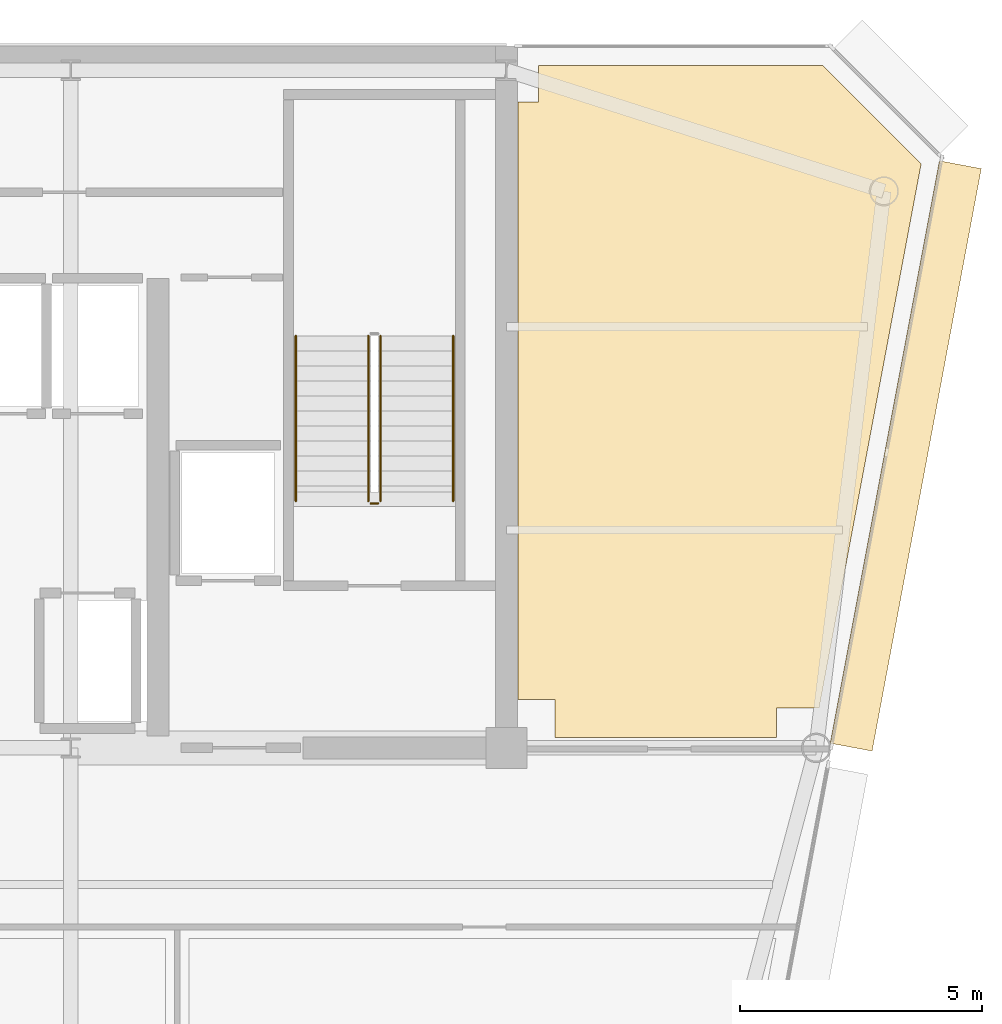
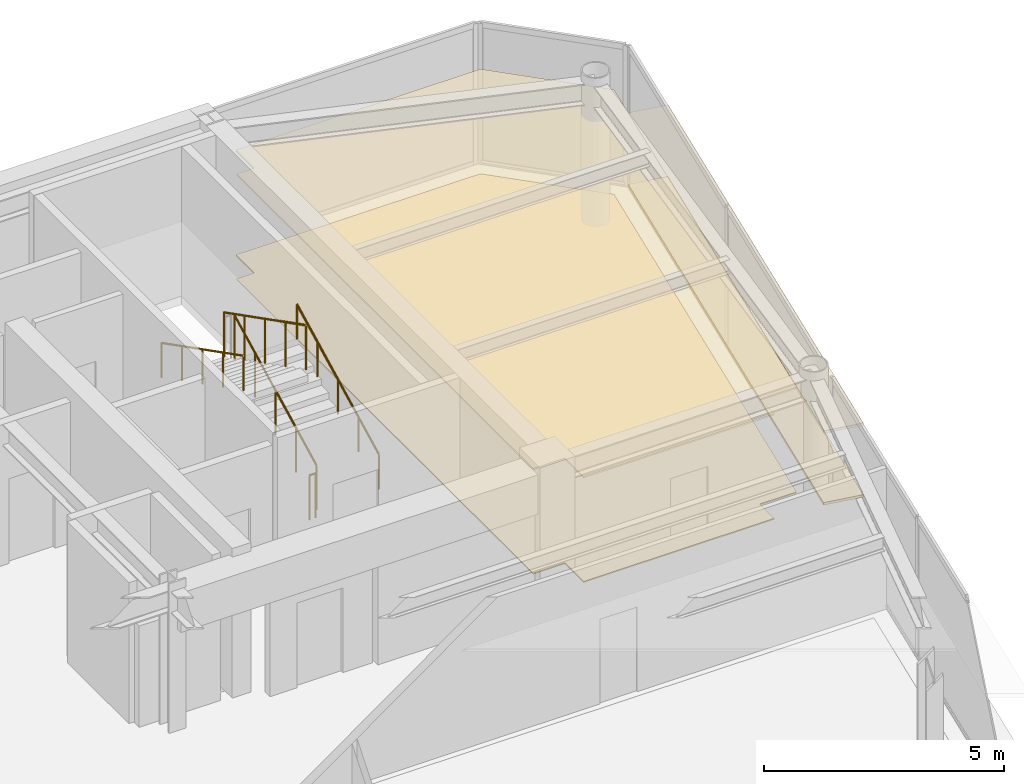
# One storey, part 16 of 19: 5 railings, 4 coverings.
"""IFC4 building model written with IfcOpenShell, lengths in metres."""

from ifc_helpers import new_model, si_unit, direction, frame, origin, origin_2d, place, context, subcontext, project, spatial, polyline, rectangle, circle, outline, extrude, source, transform, mapped, material, layer, layer_set, type_object, element, save


model = new_model("IFC4")

# Units and contexts
model_context = context("Model", 3, precision=1e-05, world=origin(), true_north=direction((0.0, 1.0)))
body_context = subcontext(model_context, "Body", "Model", "MODEL_VIEW")
ifc_project = project(units=[si_unit("LENGTHUNIT", "METRE"), si_unit("AREAUNIT", "SQUARE_METRE"), si_unit("VOLUMEUNIT", "CUBIC_METRE"), si_unit("PLANEANGLEUNIT", "RADIAN"), si_unit("MASSUNIT", "GRAM", prefix="KILO")], contexts=[model_context])

# Site, building, storey
site_placement = place(None, origin())
site = spatial("IfcSite", under=ifc_project, at=site_placement, CompositionType="ELEMENT")
building_placement = place(site_placement, origin())
building = spatial("IfcBuilding", under=site, at=building_placement, Name="Vaeldorn Concourse Tower", CompositionType="ELEMENT")
storey_placement = place(building_placement, frame((0.0, 0.0, 272.60009765625)))
storey = spatial("IfcBuildingStorey", under=building, at=storey_placement, Name="L70", CompositionType="ELEMENT", Elevation=272.60009765625)

# Coverings
ifc_material_1 = material(Name="Acoustic Mineral Fibre Board", Category="gypsum")
ifc_layer_1 = layer(ifc_material_1, 0.0400390625)
ifc_layer_set_1 = layer_set([ifc_layer_1], Name="Acoustic Mineral Fibre Board")
covering_type_1 = type_object("IfcCoveringType", Name="COV-CEIL-ACOUSTIC", PredefinedType="CEILING", material=ifc_layer_set_1)
covering_1_placement = place(storey_placement, frame((0.0, 0.0, 2.64990234375)))
element("IfcCovering", 1, at=covering_1_placement, inside=storey, type_object=covering_type_1, Name="Suspended Acoustic Ceiling L70-4", PredefinedType="CEILING", context=body_context, shape_type="SweptSolid", body=[
    extrude(outline(polyline([(54.659912109375, 49.840087890625), (54.659912109375, 50.60009765625), (60.5341796875, 50.60009765625), (62.568115234375, 48.56640625), (60.459716796875, 37.320068359375), (59.580078125, 37.320068359375), (59.580078125, 36.719970703125), (55.0, 36.719970703125), (55.0, 37.5), (54.239990234375, 37.5), (54.239990234375, 49.840087890625), (54.659912109375, 49.840087890625)])), origin(), (0.0, 0.0, 1.0), 0.0400390625),
])
ifc_material_2 = material(Name="Honed Limestone Terrazzo Flooring", Category="masonry")
ifc_layer_2 = layer(ifc_material_2, 0.0400390625)
ifc_layer_set_2 = layer_set([ifc_layer_2], Name="Honed Limestone Terrazzo Flooring")
covering_type_2 = type_object("IfcCoveringType", Name="COV-FLOOR-STONE", PredefinedType="FLOORING", material=ifc_layer_set_2)
covering_2_placement = place(storey_placement, origin())
element("IfcCovering", 2, at=covering_2_placement, inside=storey, type_object=covering_type_2, Name="Floor Finish Covering L70-4", PredefinedType="FLOORING", context=body_context, shape_type="SweptSolid", body=[
    extrude(outline(polyline([(54.659912109375, 49.840087890625), (54.659912109375, 50.60009765625), (60.5341796875, 50.60009765625), (62.568115234375, 48.56640625), (60.459716796875, 37.320068359375), (59.580078125, 37.320068359375), (59.580078125, 36.719970703125), (55.0, 36.719970703125), (55.0, 37.5), (54.239990234375, 37.5), (54.239990234375, 49.840087890625), (54.659912109375, 49.840087890625)])), origin(), (0.0, 0.0, 1.0), 0.02978515625),
])

# Railings
ifc_material_3 = material(Name="Anodised Bronze Aluminium", Category="aluminium")
railing_type_1 = type_object("IfcRailingType", Name="RL-STAIR-GUARD", PredefinedType="GUARDRAIL", material=ifc_material_3)
railing_1_placement = place(storey_placement, frame((51.39990234375, 41.60009765625, 0.158203125)))
element("IfcRailing", 3, at=railing_1_placement, inside=storey, type_object=railing_type_1, Name="L70 ST-2 stair guard 1", PredefinedType="GUARDRAIL", context=body_context, shape_type="SweptSolid", body=[
    extrude(circle(Radius=0.02392578125, at=origin_2d()), frame((0.0, 0.0, 1.1259765625), z_axis=(0.0, 0.890555807335, 0.454873997962), x_axis=(-1.0, 0.0, 0.0)), (0.0, 0.0, 1.0), 3.828857421875),
    extrude(circle(Radius=0.02099609375, at=origin_2d()), origin(), (0.0, 0.0, 1.0), 1.101806640625),
    extrude(circle(Radius=0.02099609375, at=origin_2d()), frame((0.0, 0.8525390625, 0.435546875)), (0.0, 0.0, 1.0), 1.101806640625),
    extrude(circle(Radius=0.02099609375, at=origin_2d()), frame((0.0, 1.705078125, 0.870849609375)), (0.0, 0.0, 1.0), 1.101806640625),
    extrude(circle(Radius=0.02099609375, at=origin_2d()), frame((0.0, 2.557373046875, 1.30615234375)), (0.0, 0.0, 1.0), 1.101806640625),
    extrude(circle(Radius=0.02099609375, at=origin_2d()), frame((0.0, 3.409912109375, 1.74169921875)), (0.0, 0.0, 1.0), 1.101806640625),
])
railing_2_placement = place(storey_placement, frame((51.14990234375, 45.010009765625, 2.058349609375)))
element("IfcRailing", 4, at=railing_2_placement, inside=storey, type_object=railing_type_1, Name="L70 ST-2 stair guard 3", PredefinedType="GUARDRAIL", context=body_context, shape_type="SweptSolid", body=[
    extrude(circle(Radius=0.02392578125, at=origin_2d()), frame((0.0, 0.0, 1.1259765625), z_axis=(0.0, -0.890581635807, 0.454823427236), x_axis=(1.0, 0.0, 0.0)), (0.0, 0.0, 1.0), 3.828857421875),
    extrude(circle(Radius=0.02099609375, at=origin_2d()), origin(), (0.0, 0.0, 1.0), 1.101806640625),
    extrude(circle(Radius=0.02099609375, at=origin_2d()), frame((0.0, -0.8525390625, 0.435302734375)), (0.0, 0.0, 1.0), 1.101806640625),
    extrude(circle(Radius=0.02099609375, at=origin_2d()), frame((0.0, -1.705078125, 0.87060546875)), (0.0, 0.0, 1.0), 1.101806640625),
    extrude(circle(Radius=0.02099609375, at=origin_2d()), frame((0.0, -2.557373046875, 1.30615234375)), (0.0, 0.0, 1.0), 1.101806640625),
    extrude(circle(Radius=0.02099609375, at=origin_2d()), frame((0.0, -3.409912109375, 1.741455078125)), (0.0, 0.0, 1.0), 1.101806640625),
])
railing_3_placement = place(storey_placement, frame((51.35009765625, 41.550048828125, 0.0)))
element("IfcRailing", 5, at=railing_3_placement, inside=storey, type_object=railing_type_1, Name="L70 ST-2 stair guard 4", PredefinedType="GUARDRAIL", context=body_context, shape_type="SweptSolid", body=[
    extrude(circle(Radius=0.02392578125, at=origin_2d()), frame((0.0, 0.0, 1.1259765625), z_axis=(-1.0, 0.0, 0.0), x_axis=(0.0, -1.0, 0.0)), (0.0, 0.0, 1.0), 0.150146484375),
    extrude(circle(Radius=0.02099609375, at=origin_2d()), origin(), (0.0, 0.0, 1.0), 1.101806640625),
    extrude(circle(Radius=0.02099609375, at=origin_2d()), frame((-0.150146484375, 0.0, 0.0)), (0.0, 0.0, 1.0), 1.101806640625),
])
railing_type_2 = type_object("IfcRailingType", Name="RL-STAIR-HANDRAIL", PredefinedType="HANDRAIL", material=ifc_material_3)
railing_4_placement = place(storey_placement, frame((52.89990234375, 41.60009765625, 0.158203125)))
element("IfcRailing", 6, at=railing_4_placement, inside=storey, type_object=railing_type_2, Name="L70 ST-2 stair handrail 1", PredefinedType="HANDRAIL", context=body_context, shape_type="SweptSolid", body=[
    extrude(circle(Radius=0.02392578125, at=origin_2d()), frame((0.0, 0.0, 0.8759765625), z_axis=(0.0, 0.890555807335, 0.454873997962), x_axis=(-1.0, 0.0, 0.0)), (0.0, 0.0, 1.0), 3.828857421875),
    extrude(circle(Radius=0.02099609375, at=origin_2d()), origin(), (0.0, 0.0, 1.0), 0.851806640625),
    extrude(circle(Radius=0.02099609375, at=origin_2d()), frame((0.0, 0.8525390625, 0.435546875)), (0.0, 0.0, 1.0), 0.851806640625),
    extrude(circle(Radius=0.02099609375, at=origin_2d()), frame((0.0, 1.705078125, 0.870849609375)), (0.0, 0.0, 1.0), 0.851806640625),
    extrude(circle(Radius=0.02099609375, at=origin_2d()), frame((0.0, 2.557373046875, 1.30615234375)), (0.0, 0.0, 1.0), 0.851806640625),
    extrude(circle(Radius=0.02099609375, at=origin_2d()), frame((0.0, 3.409912109375, 1.74169921875)), (0.0, 0.0, 1.0), 0.851806640625),
])
railing_5_placement = place(storey_placement, frame((49.64990234375, 45.010009765625, 2.058349609375)))
element("IfcRailing", 7, at=railing_5_placement, inside=storey, type_object=railing_type_2, Name="L70 ST-2 stair handrail 2", PredefinedType="HANDRAIL", context=body_context, shape_type="SweptSolid", body=[
    extrude(circle(Radius=0.02392578125, at=origin_2d()), frame((0.0, 0.0, 0.8759765625), z_axis=(0.0, -0.890581635807, 0.454823427236), x_axis=(1.0, 0.0, 0.0)), (0.0, 0.0, 1.0), 3.828857421875),
    extrude(circle(Radius=0.02099609375, at=origin_2d()), origin(), (0.0, 0.0, 1.0), 0.851806640625),
    extrude(circle(Radius=0.02099609375, at=origin_2d()), frame((0.0, -0.8525390625, 0.435302734375)), (0.0, 0.0, 1.0), 0.851806640625),
    extrude(circle(Radius=0.02099609375, at=origin_2d()), frame((0.0, -1.705078125, 0.87060546875)), (0.0, 0.0, 1.0), 0.851806640625),
    extrude(circle(Radius=0.02099609375, at=origin_2d()), frame((0.0, -2.557373046875, 1.30615234375)), (0.0, 0.0, 1.0), 0.851806640625),
    extrude(circle(Radius=0.02099609375, at=origin_2d()), frame((0.0, -3.409912109375, 1.741455078125)), (0.0, 0.0, 1.0), 0.851806640625),
])

# Coverings
ifc_layer_3 = layer(ifc_material_3, 0.06494140625)
ifc_layer_set_3 = layer_set([ifc_layer_3], Name="Anodised Bronze Aluminium")
covering_type_3 = type_object("IfcCoveringType", Name="SD-BRONZE-SUNSHADE", PredefinedType="USERDEFINED", material=ifc_layer_set_3)
shared_shape = source(origin(), body_context, "Body", "SweptSolid", [
    extrude(rectangle(XDim=12.241943359375, YDim=0.8798828125, at=origin_2d()), origin(), (0.0, 0.0, 1.0), 0.06494140625),
])
for number, where, z_axis, x_axis, name in (
    (8, (62.250732421875, 42.531494140625, 0.04736328125), (0.0, 0.0, 1.0), (0.1842429853, 0.98288072642, 0.0), "Horizontal Bronze Sunshade L70-E07.2.1"),
    (9, (62.250732421875, 42.531494140625, 1.867431640625), (0.0, 0.0, 1.0), (0.1842429853, 0.98288072642, 0.0), "Horizontal Bronze Sunshade L70-E07.2.2"),
):
    element("IfcCovering", number, at=place(storey_placement, frame(where, z_axis=z_axis, x_axis=x_axis)), inside=storey, type_object=covering_type_3, Name=name, ObjectType="SUNSHADE", PredefinedType="USERDEFINED", context=body_context, shape_type="MappedRepresentation", body=[
        mapped(shared_shape, transform((0.0, 0.0, 0.0), scale=1.0)),
    ])

save(model, "model.ifc")
